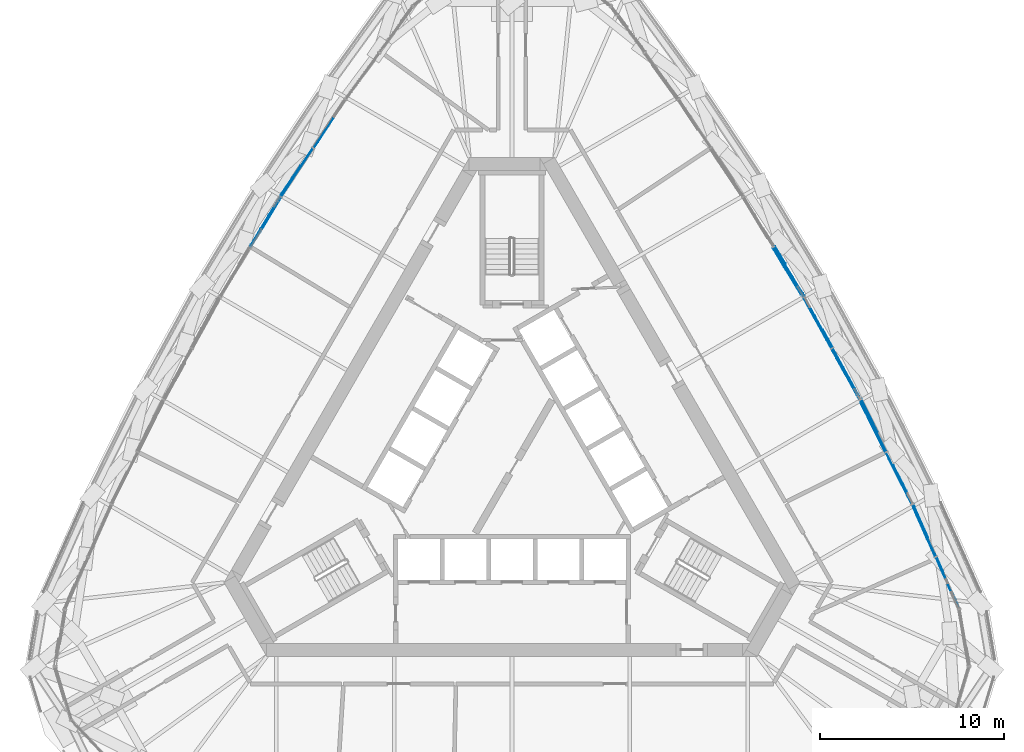
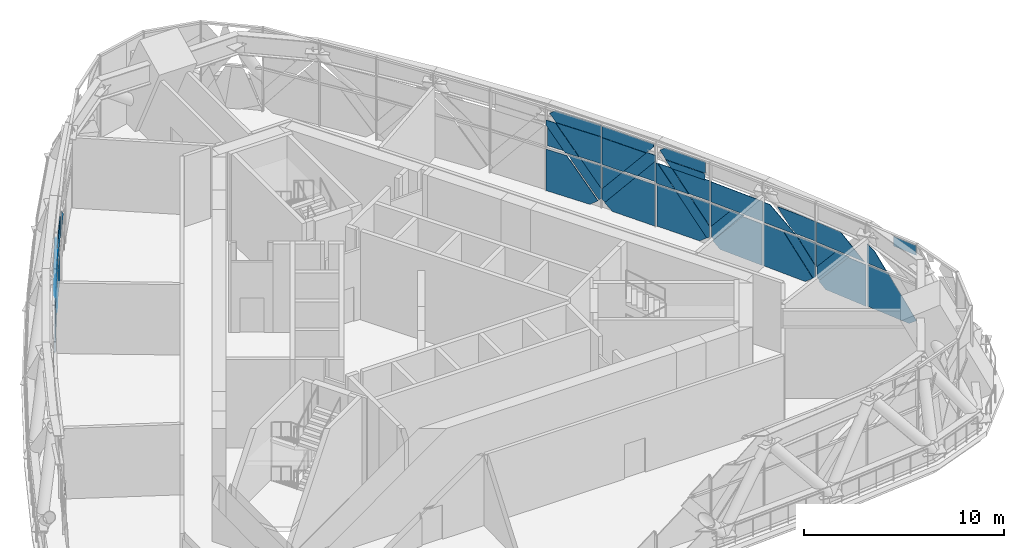
# One storey, part 13 of 33: 50 plates, 2 elements without a shape of their own.
"""IFC4 building model written with IfcOpenShell, lengths in metres."""

import ifcopenshell
import ifcopenshell.guid

model = None  # the IFC model being written
_history = None  # IfcOwnerHistory: only IFC2X3 demands one
_inside = {}  # id of a spatial element -> (the spatial element, [elements in it])
_under = {}  # id of a project, library or spatial element -> (it, [spatial elements below it])
_declared = {}  # id of a project -> (the project, [libraries it declares])
_typed = {}  # id of a type object -> (the type object, [elements of that type])
_made_of = {}  # id of a material, layer set ... -> (it, [elements and type objects made of it])


def new_model(schema):
    """Start an empty IFC model of exactly this schema.

    Asked for "IFC4X3", IfcOpenShell would pick the latest addendum, in which some entities
    have other attributes; the version numbers below select the first issue.
    IFC2X3 requires an IfcOwnerHistory on every rooted entity: one is made here for all.
    """
    global model, _history
    if schema == "IFC4X3":
        model = ifcopenshell.file(schema_version=(4, 3, 0, 0))
    else:
        model = ifcopenshell.file(schema=schema)
    _inside.clear()
    _under.clear()
    _declared.clear()
    _typed.clear()
    _made_of.clear()
    _history = None
    if model.schema == "IFC2X3":
        org = make("IfcOrganization", Name="unknown")
        user = make(
            "IfcPersonAndOrganization",
            ThePerson=make("IfcPerson", FamilyName="unknown"),
            TheOrganization=org,
        )
        app = make(
            "IfcApplication",
            ApplicationDeveloper=org,
            Version="unknown",
            ApplicationFullName="unknown",
            ApplicationIdentifier="unknown",
        )
        _history = make(
            "IfcOwnerHistory",
            OwningUser=user,
            OwningApplication=app,
            ChangeAction="ADDED",
            CreationDate=0,
        )
    return model


def make(cls, **values):
    """One entity of the class cls with the attributes given. An attribute that is None is left unset."""
    return model.create_entity(
        cls, **{name: value for name, value in values.items() if value is not None}
    )


def rooted(cls, **values):
    """An entity with a GlobalId (a new one), such as an element, a storey or a relation."""
    return make(cls, GlobalId=ifcopenshell.guid.new(), OwnerHistory=_history, **values)


def si_unit(unit_type, name, prefix=None):
    """IfcSIUnit, for example si_unit("LENGTHUNIT", "METRE", prefix="MILLI")."""
    return make("IfcSIUnit", UnitType=unit_type, Prefix=prefix, Name=name)


def assignment(units):
    """IfcUnitAssignment: the units of a project."""
    return None if units is None else make("IfcUnitAssignment", Units=units)


def point(xyz):
    """IfcCartesianPoint."""
    return None if xyz is None else make("IfcCartesianPoint", Coordinates=xyz)


def direction(xyz):
    """IfcDirection."""
    return None if xyz is None else make("IfcDirection", DirectionRatios=xyz)


def frame(location, z_axis=None, x_axis=None):
    """IfcAxis2Placement3D, a coordinate frame: its origin and axes. An axis left out is left unset."""
    return make(
        "IfcAxis2Placement3D",
        Location=point(location),
        Axis=direction(z_axis),
        RefDirection=direction(x_axis),
    )


def origin():
    """The frame at (0, 0, 0) with its axes left unset."""
    return frame((0.0, 0.0, 0.0))


def place(relative_to, where):
    """IfcLocalPlacement: puts the frame where relative to a parent placement (None: the world)."""
    return make(
        "IfcLocalPlacement", PlacementRelTo=relative_to, RelativePlacement=where
    )


def context(
    kind, dimensions, precision=None, world=None, true_north=None, identifier=None
):
    """IfcGeometricRepresentationContext, for example the 3D "Model" context."""
    return make(
        "IfcGeometricRepresentationContext",
        ContextIdentifier=identifier,
        ContextType=kind,
        CoordinateSpaceDimension=dimensions,
        Precision=precision,
        WorldCoordinateSystem=world,
        TrueNorth=true_north,
    )


def subcontext(parent, identifier, kind, view, scale=None):
    """IfcGeometricRepresentationSubContext, for example "Body" below "Model"."""
    return make(
        "IfcGeometricRepresentationSubContext",
        ContextIdentifier=identifier,
        ContextType=kind,
        ParentContext=parent,
        TargetScale=scale,
        TargetView=view,
    )


def project(units=None, contexts=None):
    """IfcProject with its units and contexts."""
    return rooted(
        "IfcProject",
        Name="project",
        RepresentationContexts=contexts,
        UnitsInContext=assignment(units),
    )


def spatial(cls, under=None, at=None, **own):
    """A site, building, storey or space (cls), placed at a placement, below another one or the project."""
    s = rooted(cls, ObjectPlacement=at, **own)
    if under is not None:
        _under.setdefault(under.id(), (under, []))[1].append(s)
    return s


def polyline(points):
    """IfcPolyline through the points."""
    return make("IfcPolyline", Points=[point(p) for p in points])


def outline(outer, holes=None, kind="AREA"):
    """IfcArbitraryClosedProfileDef: a profile drawn as a closed curve; with holes, ...WithVoids."""
    if holes is None:
        return make("IfcArbitraryClosedProfileDef", ProfileType=kind, OuterCurve=outer)
    return make(
        "IfcArbitraryProfileDefWithVoids",
        ProfileType=kind,
        OuterCurve=outer,
        InnerCurves=holes,
    )


def extrude(swept, where, along, depth):
    """IfcExtrudedAreaSolid: the profile swept, set in the frame where, extruded along a direction by depth."""
    return make(
        "IfcExtrudedAreaSolid",
        SweptArea=swept,
        Position=where,
        ExtrudedDirection=direction(along),
        Depth=depth,
    )


def shape(context_of_items, identifier, shape_type, items):
    """IfcShapeRepresentation: the items that make up one representation, for example the "Body"."""
    return make(
        "IfcShapeRepresentation",
        ContextOfItems=context_of_items,
        RepresentationIdentifier=identifier,
        RepresentationType=shape_type,
        Items=items,
    )


def material(Name=None, Category=None):
    """IfcMaterial."""
    return make("IfcMaterial", Name=Name, Category=Category)


def layer(
    of_material, thickness, ventilated=None, Name=None, Category=None, Priority=None
):
    """IfcMaterialLayer: one layer of a wall or slab, of a material (None: an air gap)."""
    return make(
        "IfcMaterialLayer",
        Material=of_material,
        LayerThickness=thickness,
        IsVentilated=ventilated,
        Name=Name,
        Category=Category,
        Priority=Priority,
    )


def layer_set(layers, Name=None):
    """IfcMaterialLayerSet."""
    return make("IfcMaterialLayerSet", MaterialLayers=layers, LayerSetName=Name)


def made_of(thing, what):
    """Note that an element or type object is made of a material, layer set ...; save() writes the relation."""
    if what is not None:
        _made_of.setdefault(what.id(), (what, []))[1].append(thing)
    return thing


def type_object(cls, material=None, **own):
    """A type object (cls), such as IfcWallType, which elements share."""
    return made_of(rooted(cls, **own), material)


def element(
    cls,
    number,
    at=None,
    inside=None,
    cuts=None,
    type_object=None,
    material=None,
    context=None,
    identifier="Body",
    shape_type=None,
    held_by="IfcProductDefinitionShape",
    body=None,
    shapes=None,
    **own,
):
    """One element of the class cls, such as IfcWall. Its Tag is "e" and its number.

    at: its placement. inside: the storey or other place that contains it. cuts: it is an
    opening in that element (IfcRelVoidsElement). A single representation is given by context,
    identifier, shape_type and body (its items); several are given by shapes. held_by: the class
    of the entity that holds the representations. save() writes the other relations.
    """
    e = rooted(cls, Tag="e%d" % number, ObjectPlacement=at, **own)
    if body is not None:
        shapes = [shape(context, identifier, shape_type, body)]
    if shapes is not None:
        e.Representation = make(held_by, Representations=shapes)
    if inside is not None:
        _inside.setdefault(inside.id(), (inside, []))[1].append(e)
    if cuts is not None:
        rooted(
            "IfcRelVoidsElement", RelatingBuildingElement=cuts, RelatedOpeningElement=e
        )
    if type_object is not None:
        _typed.setdefault(type_object.id(), (type_object, []))[1].append(e)
    return made_of(e, material)


def aggregate(whole, parts):
    """IfcRelAggregates: a whole, such as a stair, and the parts it consists of."""
    return rooted("IfcRelAggregates", RelatingObject=whole, RelatedObjects=parts)


def save(model, path):
    """Write the relations noted so far, then the file.

    IfcRelAggregates (storeys below a building ...), IfcRelContainedInSpatialStructure (elements
    in a storey), IfcRelDefinesByType, IfcRelAssociatesMaterial and IfcRelDeclares: one each for
    every whole, place, type object, material and project.
    """
    for whole, parts in _under.values():
        aggregate(whole, parts)
    for where, things in _inside.values():
        rooted(
            "IfcRelContainedInSpatialStructure",
            RelatedElements=things,
            RelatingStructure=where,
        )
    for kind, things in _typed.values():
        rooted("IfcRelDefinesByType", RelatedObjects=things, RelatingType=kind)
    for what, things in _made_of.values():
        rooted("IfcRelAssociatesMaterial", RelatedObjects=things, RelatingMaterial=what)
    for by, libraries in _declared.values():
        rooted("IfcRelDeclares", RelatingContext=by, RelatedDefinitions=libraries)
    model.write(path)


model = new_model("IFC4")

# Units and contexts
model_context = context("Model", 3, precision=1e-05, world=origin(), true_north=direction((0.0, 1.0)))
body_context = subcontext(model_context, "Body", "Model", "MODEL_VIEW")
ifc_project = project(units=[si_unit("LENGTHUNIT", "METRE"), si_unit("AREAUNIT", "SQUARE_METRE"), si_unit("VOLUMEUNIT", "CUBIC_METRE"), si_unit("PLANEANGLEUNIT", "RADIAN"), si_unit("MASSUNIT", "GRAM", prefix="KILO")], contexts=[model_context])

# Site, building, storey
site_placement = place(None, origin())
site = spatial("IfcSite", under=ifc_project, at=site_placement, CompositionType="ELEMENT")
building_placement = place(site_placement, origin())
building = spatial("IfcBuilding", under=site, at=building_placement, Name="Mestral Congress Tower", CompositionType="ELEMENT")
storey_placement = place(building_placement, frame((0.0, 0.0, 256.199951171875)))
storey = spatial("IfcBuildingStorey", under=building, at=storey_placement, Name="L60", CompositionType="ELEMENT", Elevation=256.199951171875)

# Curtain wall, plates
ifc_material_1 = material(Name="Clear low-emissivity double glazing", Category="glass")
curtain_wall_type = type_object("IfcCurtainWallType", Name="Facade refuge band screen", PredefinedType="USERDEFINED", material=ifc_material_1)
placement = place(storey_placement, origin())
curtain_wall_1 = element("IfcCurtainWall", 1, at=placement, inside=storey, type_object=curtain_wall_type, Name="Facade refuge band screen face 2", ObjectType="CURTAIN WALL", PredefinedType="USERDEFINED")
ifc_material_2 = material(Name="Anodised aluminium", Category="aluminium")
ifc_layer_1 = layer(ifc_material_2, 0.028076171875)
ifc_layer_set_1 = layer_set([ifc_layer_1], Name="Anodised aluminium")
plate_type_1 = type_object("IfcPlateType", Name="Facade refuge band screen brace cover panel", PredefinedType="CURTAIN_PANEL", material=ifc_layer_set_1)
plate_1_placement = place(storey_placement, frame((21.787109375, -2.115966796875, 0.4736328125), z_axis=(0.913153997323, 0.407609879761, 0.001990751943), x_axis=(0.31296368662, -0.697975645383, -0.644114686457)))
plate_1 = element("IfcPlate", 2, at=plate_1_placement, type_object=plate_type_1, Name="Facade refuge band screen brace cover panel", PredefinedType="CURTAIN_PANEL", context=body_context, shape_type="SweptSolid", body=[
    extrude(outline(polyline([(0.0, 0.0), (0.1845884822043527, 0.0), (0.18383013216730837, -2.8562409350423597), (-0.43035569958101516, -2.3390592714284537), (-0.42980479596469484, -0.5106858456581217), (0.0, 0.0)])), origin(), (0.0, 0.0, -1.0), 0.028076171875),
])
plate_2_placement = place(storey_placement, frame((21.742431640625, -2.135986328125, 3.887939453125), z_axis=(0.9131391405, 0.407643513254, 0.001917339176), x_axis=(0.001752116658, 0.000778644434, -0.999998161898)))
plate_2 = element("IfcPlate", 3, at=plate_2_placement, type_object=plate_type_1, Name="Facade refuge band screen brace cover panel", PredefinedType="CURTAIN_PANEL", context=body_context, shape_type="SweptSolid", body=[
    extrude(outline(polyline([(0.0, 0.0), (1.227785556595317, 1.4992483166401116e-19), (1.2277949766796143, -2.9479286449745246), (4.8525755087412085e-06, -1.4731959956510157), (0.0, 0.0)])), origin(), (0.0, 0.0, -1.0), 0.028076171875),
])
plate_3_placement = place(storey_placement, frame((20.8701171875, -0.37255859375, 2.5400390625), z_axis=(0.895480676833, 0.445095607375, 0.002063422898), x_axis=(0.281276986905, -0.562291604201, -0.777631923523)))
plate_3 = element("IfcPlate", 4, at=plate_3_placement, type_object=plate_type_1, Name="Facade refuge band screen brace cover panel", PredefinedType="CURTAIN_PANEL", context=body_context, shape_type="SweptSolid", body=[
    extrude(outline(polyline([(0.0, 0.0), (2.791051030716205, 2.220446049250313e-16), (2.7907304843664265, -0.1957032297248591), (2.278199795002741, -0.6102296775615604), (0.49335512821134725, -0.6102090879746565), (0.0, 0.0)])), origin(), (0.0, 0.0, -1.0), 0.028076171875),
])
plate_4_placement = place(storey_placement, frame((20.304931640625, 0.696533203125, 2.66015625), z_axis=(0.895460272872, 0.445137206914, 0.0019408065), x_axis=(0.445138045238, -0.895461959372, 1.957e-08)))
plate_4 = element("IfcPlate", 5, at=plate_4_placement, type_object=plate_type_1, Name="Facade refuge band screen brace cover panel", PredefinedType="CURTAIN_PANEL", context=body_context, shape_type="SweptSolid", body=[
    extrude(outline(polyline([(0.0, 0.0), (1.9218444975890194, -4.336808689942018e-19), (0.384876684140015, -1.227785507963331), (-0.00010358792781404666, -1.2277855531078843), (0.0, 0.0)])), origin(), (0.0, 0.0, -1.0), 0.028076171875),
])
plate_5_placement = place(storey_placement, frame((21.74365234375, -2.06787109375, 3.853759765625), z_axis=(0.895475424433, 0.445106633845, 0.00196182134), x_axis=(-0.444749729267, 0.894562483201, 0.044222640874)))
plate_5 = element("IfcPlate", 6, at=plate_5_placement, type_object=plate_type_1, Name="Facade refuge band screen brace cover panel", PredefinedType="CURTAIN_PANEL", context=body_context, shape_type="SweptSolid", body=[
    extrude(outline(polyline([(0.0, 0.0), (0.7729003273818444, -6.938893903907228e-18), (2.3249494026488495, -0.06870273490371065), (1.5456152631874522, -0.9498977494433535), (1.1401903315184931, -1.2452461116433755), (-0.05256095621396867, -1.1924479027510249), (0.0, 0.0)])), origin(), (0.0, 0.0, -1.0), 0.028076171875),
])
plate_6_placement = place(storey_placement, frame((18.968505859375, 3.578857421875, 0.491455078125), z_axis=(0.895392021116, 0.445273788053, 0.002093369458), x_axis=(0.343424150256, -0.687576924669, -0.63976388276)))
plate_6 = element("IfcPlate", 7, at=plate_6_placement, type_object=plate_type_1, Name="Facade refuge band screen brace cover panel", PredefinedType="CURTAIN_PANEL", context=body_context, shape_type="SweptSolid", body=[
    extrude(outline(polyline([(0.0, 0.0), (0.19462157033597707, 1.3877787807814457e-17), (0.1944911197361201, -2.8273496531822273), (-0.41615847797028915, -2.3190390373489156), (-0.41633611192804476, -0.49999156594634064), (0.0, 0.0)])), origin(), (0.0, 0.0, -1.0), 0.028076171875),
])
plate_7_placement = place(storey_placement, frame((18.915771484375, 3.552734375, 3.887939453125), z_axis=(0.895425998616, 0.445205681146, 0.002045110836), x_axis=(0.001789616452, 0.000994231362, -0.999997904386)))
plate_7 = element("IfcPlate", 8, at=plate_7_placement, type_object=plate_type_1, Name="Facade refuge band screen brace cover panel", PredefinedType="CURTAIN_PANEL", context=body_context, shape_type="SweptSolid", body=[
    extrude(outline(polyline([(0.0, 0.0), (1.2277857760897182, 1.6263032587282567e-19), (1.2274944002773338, -3.1158724673717715), (-0.0002913758123841894, -3.1158724673717715), (0.0, 0.0)])), origin(), (0.0, 0.0, -1.0), 0.028076171875),
])
plate_8_placement = place(storey_placement, frame((17.935791015625, 5.28076171875, 2.5400390625), z_axis=(0.876282913322, 0.481792353902, 0.002093690983), x_axis=(0.306141338172, -0.553443169083, -0.774582558323)))
plate_8 = element("IfcPlate", 9, at=plate_8_placement, type_object=plate_type_1, Name="Facade refuge band screen brace cover panel", PredefinedType="CURTAIN_PANEL", context=body_context, shape_type="SweptSolid", body=[
    extrude(outline(polyline([(0.0, 0.0), (2.7976257764412553, 2.220446049250313e-16), (2.797679466670462, -0.2019497399969825), (2.294308092784093, -0.6130365180554893), (0.5006164095676948, -0.6131028317228737), (0.0, 0.0)])), origin(), (0.0, 0.0, -1.0), 0.028076171875),
])
plate_9_placement = place(storey_placement, frame((18.2958984375, 4.6875, 2.66015625), z_axis=(0.876249837569, 0.481852577463, 0.00207743885), x_axis=(-0.30620559211, 0.553496227795, 0.774519245195)))
plate_9 = element("IfcPlate", 10, at=plate_9_placement, type_object=plate_type_1, Name="Facade refuge band screen brace cover panel", PredefinedType="CURTAIN_PANEL", context=body_context, shape_type="SweptSolid", body=[
    extrude(outline(polyline([(0.0, 0.0), (1.5852195907946864, 1.1102230246251565e-16), (2.0857621742453976, -0.6128869198477535), (0.5006777143657001, -0.6130527666461396), (0.0, 0.0)])), origin(), (0.0, 0.0, -1.0), 0.028076171875),
])
plate_10_placement = place(storey_placement, frame((15.861572265625, 9.12255859375, 0.50048828125), z_axis=(0.876268054725, 0.481819947371, 0.001958209219), x_axis=(0.372704550498, -0.67523702887, -0.636511015522)))
plate_10 = element("IfcPlate", 11, at=plate_10_placement, type_object=plate_type_1, Name="Facade refuge band screen brace cover panel", PredefinedType="CURTAIN_PANEL", context=body_context, shape_type="SweptSolid", body=[
    extrude(outline(polyline([(0.0, 0.0), (0.2017529438055266, 1.3877787807814457e-17), (0.2000666066270067, -2.8095333552950326), (-0.4128605042296024, -2.3036962522002584), (-0.4118394861517554, -0.49896193915841053), (0.0, 0.0)])), origin(), (0.0, 0.0, -1.0), 0.028076171875),
])
plate_11_placement = place(storey_placement, frame((16.485107421875, 8.04248046875, 2.66015625), z_axis=(0.876235094746, 0.481879438201, 0.002065375073), x_axis=(0.481880466565, -0.876236963351, -3.12624e-07)))
plate_11 = element("IfcPlate", 12, at=plate_11_placement, type_object=plate_type_1, Name="Facade refuge band screen brace cover panel", PredefinedType="CURTAIN_PANEL", context=body_context, shape_type="SweptSolid", body=[
    extrude(outline(polyline([(0.0, 0.0), (0.7947017264448775, 0.0), (1.8689002204575542, -1.302981962128315), (1.8688787507132694, -1.6279335675669595), (1.341994038085146, -1.6279334283043365), (0.0, 0.0)])), origin(), (0.0, 0.0, -1.0), 0.028076171875),
])
plate_12_placement = place(storey_placement, frame((14.857421875, 10.856689453125, 2.5400390625), z_axis=(0.855370992422, 0.518012248967, 0.001942998748), x_axis=(0.330781598789, -0.543310952891, -0.771619558054)))
plate_12 = element("IfcPlate", 13, at=plate_12_placement, type_object=plate_type_1, Name="Facade refuge band screen brace cover panel", PredefinedType="CURTAIN_PANEL", context=body_context, shape_type="SweptSolid", body=[
    extrude(outline(polyline([(0.0, 0.0), (2.8096337472990287, 0.0), (2.809484945880569, -0.2017079844787646), (2.3102623374876714, -0.613232472259763), (0.5055709910548837, -0.6133000230941965), (0.0, 0.0)])), origin(), (0.0, 0.0, -1.0), 0.028076171875),
])
plate_13_placement = place(storey_placement, frame((14.744384765625, 10.904052734375, 2.66015625), z_axis=(0.855497283691, 0.517803340202, 0.002024468607), x_axis=(0.517804401615, -0.855499036626, -1.77921e-07)))
plate_13 = element("IfcPlate", 14, at=plate_13_placement, type_object=plate_type_1, Name="Facade refuge band screen brace cover panel", PredefinedType="CURTAIN_PANEL", context=body_context, shape_type="SweptSolid", body=[
    extrude(outline(polyline([(0.0, 0.0), (0.7948200776675879, -1.0842021724855044e-19), (-0.5472965341949173, -1.6279327390601497), (-1.074190221357334, -1.6279329324758611), (-1.0742286364099607, -1.3029806461375586), (0.0, 0.0)])), origin(), (0.0, 0.0, -1.0), 0.028076171875),
])

curtain_wall_2 = element("IfcCurtainWall", 15, at=placement, inside=storey, type_object=curtain_wall_type, Name="Facade refuge band screen face 3", ObjectType="CURTAIN WALL", PredefinedType="USERDEFINED")
plate_14_placement = place(storey_placement, frame((-10.757568359375, 17.2373046875, 2.66015625), z_axis=(-0.833154048948, 0.553037350413, 0.002004936455), x_axis=(0.55303846168, 0.833155723681, -1.66162e-07)))
plate_14 = element("IfcPlate", 16, at=plate_14_placement, type_object=plate_type_1, Name="Facade refuge band screen brace cover panel", PredefinedType="CURTAIN_PANEL", context=body_context, shape_type="SweptSolid", body=[
    extrude(outline(polyline([(0.0, 0.0), (1.9218859412396068, 0.0), (0.3852116434108769, -1.227785734843205), (6.29134392907581e-05, -1.2277853515013966), (0.0, 0.0)])), origin(), (0.0, 0.0, -1.0), 0.028076171875),
])
plate_15_placement = place(storey_placement, frame((-12.575439453125, 14.632080078125, 0.491455078125), z_axis=(-0.833319322662, 0.552788007073, 0.002079835316), x_axis=(0.423745703817, 0.641197158407, -0.639770101323)))
plate_15 = element("IfcPlate", 17, at=plate_15_placement, type_object=plate_type_1, Name="Facade refuge band screen brace cover panel", PredefinedType="CURTAIN_PANEL", context=body_context, shape_type="SweptSolid", body=[
    extrude(outline(polyline([(0.0, 0.0), (0.1946192742946985, 1.3877787807814457e-17), (0.19456170616452062, -2.8274290158887867), (-0.41609386384713043, -2.319105171071897), (-0.4162090290483414, -0.5000976546533173), (0.0, 0.0)])), origin(), (0.0, 0.0, -1.0), 0.028076171875),
])
plate_16_placement = place(storey_placement, frame((-12.534912109375, 14.605224609375, 3.887939453125), z_axis=(-0.833228155896, 0.552925957606, 0.001930188509), x_axis=(-0.001636576311, 0.001024628057, -0.999998135876)))
plate_16 = element("IfcPlate", 18, at=plate_16_placement, type_object=plate_type_1, Name="Facade refuge band screen brace cover panel", PredefinedType="CURTAIN_PANEL", context=body_context, shape_type="SweptSolid", body=[
    extrude(outline(polyline([(0.0, 0.0), (1.2277853615895498, 9.486769009248164e-20), (1.2276260843331686, -3.1160653515558567), (-0.0001595274097154673, -3.115861926321102), (0.0, 0.0)])), origin(), (0.0, 0.0, -1.0), 0.028076171875),
])
plate_17_placement = place(storey_placement, frame((-13.541015625, 12.892333984375, 2.5400390625), z_axis=(-0.855500157527, 0.517798832054, 0.001962140387), x_axis=(0.326211319247, 0.541896970897, -0.774553967214)))
plate_17 = element("IfcPlate", 19, at=plate_17_placement, type_object=plate_type_1, Name="Facade refuge band screen brace cover panel", PredefinedType="CURTAIN_PANEL", context=body_context, shape_type="SweptSolid", body=[
    extrude(outline(polyline([(0.0, 0.0), (2.7977292757841656, 2.220446049250313e-16), (2.7977181155148387, -0.20185965793642713), (2.294387644472444, -0.6129954633416977), (0.5007155767295886, -0.6131672855961033), (0.0, 0.0)])), origin(), (0.0, 0.0, -1.0), 0.028076171875),
])
plate_18_placement = place(storey_placement, frame((-13.233154296875, 13.5166015625, 2.66015625), z_axis=(-0.855415667491, 0.517938299934, 0.001988283566), x_axis=(-0.326330889631, -0.541934120156, 0.774477604508)))
plate_18 = element("IfcPlate", 20, at=plate_18_placement, type_object=plate_type_1, Name="Facade refuge band screen brace cover panel", PredefinedType="CURTAIN_PANEL", context=body_context, shape_type="SweptSolid", body=[
    extrude(outline(polyline([(0.0, 0.0), (1.5853049797422651, 0.0), (2.085962420875391, -0.6129451105811659), (0.5006574411331257, -0.6129451105811657), (0.0, 0.0)])), origin(), (0.0, 0.0, -1.0), 0.028076171875),
])

# Plate
ifc_layer_2 = layer(ifc_material_1, 0.028076171875)
ifc_layer_set_2 = layer_set([ifc_layer_2], Name="Clear low-emissivity double glazing")
plate_type_2 = type_object("IfcPlateType", Name="Facade refuge band screen panel", PredefinedType="CURTAIN_PANEL", material=ifc_layer_set_2)
plate_19_placement = place(storey_placement, frame((23.0419921875, -4.96728515625, 2.5400390625), z_axis=(0.913127927008, 0.407668201404, 0.002006609393), x_axis=(0.001813782125, 0.000859498576, -0.999997985726)))
plate_19 = element("IfcPlate", 21, at=plate_19_placement, type_object=plate_type_2, Name="Refuge screen glass unit", PredefinedType="CURTAIN_PANEL", context=body_context, shape_type="SweptSolid", body=[
    extrude(outline(polyline([(0.0, 0.0), (2.540044248252854, 3.3881317890172014e-19), (2.5399270354814725, -2.581699745573326), (2.1817514601666, -3.0296893495961177), (-5.8173567462458764e-05, -1.2855452385246273), (0.0, 0.0)])), origin(), (0.0, 0.0, -1.0), 0.028076171875),
])

plate_20_placement = place(storey_placement, frame((24.24267578125, -7.777099609375, 4.97998046875), z_axis=(0.913163348934, 0.407587750495, 0.002218965874), x_axis=(-0.407588753941, 0.913165597064, 0.0)))
plate_20 = element("IfcPlate", 22, at=plate_20_placement, type_object=plate_type_2, Name="Refuge screen glass unit", PredefinedType="CURTAIN_PANEL", context=body_context, shape_type="SweptSolid", body=[
    extrude(outline(polyline([(0.0, 0.0), (1.4052249987579921, 0.0), (1.4051733355315335, -0.5920424731789866), (-5.166322645881752e-05, -0.5920424731789866), (0.0, 0.0)])), origin(), (0.0, 0.0, -1.0), 0.028076171875),
])

plate_21_placement = place(storey_placement, frame((23.49951171875, -6.06591796875, 2.66015625), z_axis=(0.913114995001, 0.407696855298, 0.002068836769), x_axis=(-0.256089627408, 0.569598452476, 0.781009414585)))
plate_21 = element("IfcPlate", 23, at=plate_21_placement, type_object=plate_type_2, Name="Refuge screen glass unit", PredefinedType="CURTAIN_PANEL", context=body_context, shape_type="SweptSolid", body=[
    extrude(outline(polyline([(0.0, 0.0), (1.1362874891118215, 0.0), (1.660788068460598, -0.1954190499447518), (0.7430574226515204, -0.9292555379785602), (0.0, 0.0)])), origin(), (0.0, 0.0, -1.0), 0.028076171875),
])

plate_22_placement = place(storey_placement, frame((21.752197265625, -2.131591796875, 2.5400390625), z_axis=(0.913107196528, 0.407714909919, 0.00194932749), x_axis=(0.001745197376, 0.000872598688, -0.999998096427)))
plate_22 = element("IfcPlate", 24, at=plate_22_placement, type_object=plate_type_2, Name="Refuge screen glass unit", PredefinedType="CURTAIN_PANEL", context=body_context, shape_type="SweptSolid", body=[
    extrude(outline(polyline([(0.0, 0.0), (1.398928444212398, -4.0657581468206416e-20), (-0.0001003403276463316, -1.1772430769508584), (0.0, 0.0)])), origin(), (0.0, 0.0, -1.0), 0.028076171875),
])

plate_23_placement = place(storey_placement, frame((21.958740234375, -2.655517578125, 0.0), z_axis=(0.913158536187, 0.407599936779, 0.001944049091), x_axis=(0.407600706872, -0.913160261815, 7.646e-08)))
plate_23 = element("IfcPlate", 25, at=plate_23_placement, type_object=plate_type_2, Name="Refuge screen glass unit", PredefinedType="CURTAIN_PANEL", context=body_context, shape_type="SweptSolid", body=[
    extrude(outline(polyline([(0.0, 0.0), (2.492534097214985, 2.168404344971009e-19), (2.4925265935198997, -2.5400436116217016), (1.417685890070139, -2.5400439633077627), (-0.4213851074982333, -0.3547369809963756), (0.0, 0.0)])), origin(), (0.0, 0.0, -1.0), 0.028076171875),
])

plate_24_placement = place(storey_placement, frame((21.74609375, -2.066650390625, 2.5400390625), z_axis=(0.895380839938, 0.44529751685, 0.001809131951), x_axis=(-0.445298245572, 0.895382305214, 0.0)))
plate_24 = element("IfcPlate", 26, at=plate_24_placement, type_object=plate_type_2, Name="Refuge screen glass unit", PredefinedType="CURTAIN_PANEL", context=body_context, shape_type="SweptSolid", body=[
    extrude(outline(polyline([(0.0, 0.0), (1.1222946965202834, 1.0842021724855044e-19), (0.00011455745017698555, -1.3879417244646335), (0.0, 0.0)])), origin(), (0.0, 0.0, -1.0), 0.028076171875),
])

plate_25_placement = place(storey_placement, frame((20.30517578125, 0.69677734375, 2.5400390625), z_axis=(0.895466773038, 0.445123880878, 0.001997262414), x_axis=(0.001805520263, 0.000854762104, -0.999998004737)))
plate_25 = element("IfcPlate", 27, at=plate_25_placement, type_object=plate_type_2, Name="Refuge screen glass unit", PredefinedType="CURTAIN_PANEL", context=body_context, shape_type="SweptSolid", body=[
    extrude(outline(polyline([(0.0, 0.0), (2.54004424780993, 4.0657581468206416e-20), (2.5401398518297755, -2.5063031065154764), (2.1705282607353578, -2.963578005907821), (4.601970975768872e-05, -1.2090962026660552), (0.0, 0.0)])), origin(), (0.0, 0.0, -1.0), 0.028076171875),
])

plate_26_placement = place(storey_placement, frame((18.918212890625, 3.553955078125, 2.5400390625), z_axis=(0.895429828788, 0.445197304754, 0.002186676903), x_axis=(0.001921057224, 0.001047849395, -0.999997605773)))
plate_26 = element("IfcPlate", 28, at=plate_26_placement, type_object=plate_type_2, Name="Refuge screen glass unit", PredefinedType="CURTAIN_PANEL", context=body_context, shape_type="SweptSolid", body=[
    extrude(outline(polyline([(0.0, 0.0), (1.3979525657664373, -8.131516293641283e-20), (-9.661567092370221e-05, -1.1636754318800568), (0.0, 0.0)])), origin(), (0.0, 0.0, -1.0), 0.028076171875),
])

plate_27_placement = place(storey_placement, frame((19.138916015625, 3.00439453125, 0.0), z_axis=(0.895449457888, 0.445158898439, 0.00195537926), x_axis=(0.445159749489, -0.895451169766, -7.16e-09)))
plate_27 = element("IfcPlate", 29, at=plate_27_placement, type_object=plate_type_2, Name="Refuge screen glass unit", PredefinedType="CURTAIN_PANEL", context=body_context, shape_type="SweptSolid", body=[
    extrude(outline(polyline([(0.0, 0.0), (2.5255187577971676, 0.0), (2.525530015254863, -2.5400438137786465), (1.3680782460099938, -2.5400440891947467), (-0.44088082499774783, -0.366943779192679), (0.0, 0.0)])), origin(), (0.0, 0.0, -1.0), 0.028076171875),
])

plate_28_placement = place(storey_placement, frame((17.414794921875, 6.352294921875, 2.5400390625), z_axis=(0.87619058423, 0.481960538401, 0.002024729677), x_axis=(0.001770040253, 0.000983136348, -0.999997950198)))
plate_28 = element("IfcPlate", 30, at=plate_28_placement, type_object=plate_type_2, Name="Refuge screen glass unit", PredefinedType="CURTAIN_PANEL", context=body_context, shape_type="SweptSolid", body=[
    extrude(outline(polyline([(0.0, 0.0), (2.5400440346555624, 4.506215279392878e-19), (2.5400235808834295, -2.5025526533003366), (2.1669716525381, -2.9592470931053327), (-9.806555505360035e-06, -1.1898117892283577), (0.0, 0.0)])), origin(), (0.0, 0.0, -1.0), 0.028076171875),
])

plate_29_placement = place(storey_placement, frame((18.89013671875, 3.607666015625, 2.5400390625), z_axis=(0.876268736015, 0.48181868859, 0.001963061115), x_axis=(-0.481819616963, 0.876270424418, 0.0)))
plate_29 = element("IfcPlate", 31, at=plate_29_placement, type_object=plate_type_2, Name="Refuge screen glass unit", PredefinedType="CURTAIN_PANEL", context=body_context, shape_type="SweptSolid", body=[
    extrude(outline(polyline([(0.0, 0.0), (1.134513498684102, 0.0), (-0.00010665137879309968, -1.3894069739931472), (0.0, 0.0)])), origin(), (0.0, 0.0, -1.0), 0.028076171875),
])

plate_30_placement = place(storey_placement, frame((17.40283203125, 6.243896484375, 3.887939453125), z_axis=(0.876253359494, 0.481846327195, 0.002041309466), x_axis=(-0.481847331409, 0.876255184985, 1.66379e-07)))
plate_30 = element("IfcPlate", 32, at=plate_30_placement, type_object=plate_type_2, Name="Refuge screen glass unit", PredefinedType="CURTAIN_PANEL", context=body_context, shape_type="SweptSolid", body=[
    extrude(outline(polyline([(0.0, 0.0), (0.08916181384847377, 0.0), (0.08917251043581145, -1.227785776021616), (-1.0027281412108255, -1.227785579517093), (0.0, 0.0)])), origin(), (0.0, 0.0, -1.0), 0.028076171875),
])

plate_31_placement = place(storey_placement, frame((18.916259765625, 3.6220703125, 2.66015625), z_axis=(0.876206720578, 0.481931297899, 0.002001729254), x_axis=(-0.001749748948, -0.000972303434, 0.9999979965)))
plate_31 = element("IfcPlate", 33, at=plate_31_placement, type_object=plate_type_2, Name="Refuge screen glass unit", PredefinedType="CURTAIN_PANEL", context=body_context, shape_type="SweptSolid", body=[
    extrude(outline(polyline([(0.0, 0.0), (1.2277857748188, 2.337810934421869e-19), (1.227766261686411, -2.235163462062922), (-1.0585668654997712e-05, -1.2324246304237565), (0.0, 0.0)])), origin(), (0.0, 0.0, -1.0), 0.028076171875),
])

plate_32_placement = place(storey_placement, frame((18.731201171875, 3.81884765625, 4.2880859375), z_axis=(0.876225192069, 0.481898149833, 0.001893666165), x_axis=(-0.48189901387, 0.876226763133, -1.378e-09)))
plate_32 = element("IfcPlate", 34, at=plate_32_placement, type_object=plate_type_2, Name="Refuge screen glass unit", PredefinedType="CURTAIN_PANEL", context=body_context, shape_type="SweptSolid", body=[
    extrude(outline(polyline([(0.0, 0.0), (2.300066760897334, 2.168404344971009e-19), (1.973657099622532, -0.40014719911446833), (-0.00013903027836287689, -0.40014720500323475), (0.0, 0.0)])), origin(), (0.0, 0.0, -1.0), 0.028076171875),
])

plate_33_placement = place(storey_placement, frame((17.652587890625, 5.8505859375, 4.2880859375), z_axis=(0.876225738113, 0.481896663187, 0.002015409815), x_axis=(0.481897641895, -0.876227517678, -1.689e-09)))
plate_33 = element("IfcPlate", 35, at=plate_33_placement, type_object=plate_type_2, Name="Refuge screen glass unit", PredefinedType="CURTAIN_PANEL", context=body_context, shape_type="SweptSolid", body=[
    extrude(outline(polyline([(0.0, 0.0), (2.300066760897135, 0.0), (2.3001202739723854, -0.6918959931070845), (-0.048677441323079385, -0.6918958876066128), (-0.35854042642596773, -0.4389658013693444), (0.0, 0.0)])), origin(), (0.0, 0.0, -1.0), 0.028076171875),
])

plate_34_placement = place(storey_placement, frame((15.88427734375, 9.13525390625, 2.5400390625), z_axis=(0.87621422808, 0.481917825444, 0.001958578438), x_axis=(0.001753152312, 0.000876576156, -0.999998079034)))
plate_34 = element("IfcPlate", 36, at=plate_34_placement, type_object=plate_type_2, Name="Refuge screen glass unit", PredefinedType="CURTAIN_PANEL", context=body_context, shape_type="SweptSolid", body=[
    extrude(outline(polyline([(0.0, 0.0), (1.3925808001007023, 1.7618285302889447e-19), (8.817123446512088e-05, -1.1479583537260964), (0.0, 0.0)])), origin(), (0.0, 0.0, -1.0), 0.028076171875),
])

plate_35_placement = place(storey_placement, frame((16.128662109375, 8.57666015625, 0.0), z_axis=(0.876203386768, 0.481937331862, 0.002008276301), x_axis=(0.481938303896, -0.876205153624, -9.2171e-08)))
plate_35 = element("IfcPlate", 37, at=plate_35_placement, type_object=plate_type_2, Name="Refuge screen glass unit", PredefinedType="CURTAIN_PANEL", context=body_context, shape_type="SweptSolid", body=[
    extrude(outline(polyline([(0.0, 0.0), (2.508884673444914, 4.336808689942018e-19), (2.508788058410714, -2.5400444657237338), (1.3358117717218287, -2.540044090234403), (-0.4515207831710742, -0.37207102545045645), (0.0, 0.0)])), origin(), (0.0, 0.0, -1.0), 0.028076171875),
])

plate_36_placement = place(storey_placement, frame((15.83154296875, 9.10595703125, 2.66015625), z_axis=(0.876210174931, 0.481925143065, 0.001971250487), x_axis=(0.481926079233, -0.876211877433, 1.01041e-07)))
plate_36 = element("IfcPlate", 38, at=plate_36_placement, type_object=plate_type_2, Name="Refuge screen glass unit", PredefinedType="CURTAIN_PANEL", context=body_context, shape_type="SweptSolid", body=[
    extrude(outline(polyline([(0.0, 0.0), (1.246842830201709, 0.0), (2.5889550263977354, -1.6279325888457619), (-0.00012821483019603188, -1.6279329764325055), (0.0, 0.0)])), origin(), (0.0, 0.0, -1.0), 0.028076171875),
])

plate_37_placement = place(storey_placement, frame((15.85498046875, 9.118896484375, 4.2880859375), z_axis=(0.876213820133, 0.48191871638, 0.001921512334), x_axis=(0.481919606039, -0.87621543773, 9.817e-09)))
plate_37 = element("IfcPlate", 39, at=plate_37_placement, type_object=plate_type_2, Name="Refuge screen glass unit", PredefinedType="CURTAIN_PANEL", context=body_context, shape_type="SweptSolid", body=[
    extrude(outline(polyline([(0.0, 0.0), (2.5887516647467206, 0.0), (3.0078635360908503, -0.5080574668847467), (3.007628225587938, -0.6918958402267359), (-0.00016043440760472424, -0.6918957613435881), (0.0, 0.0)])), origin(), (0.0, 0.0, -1.0), 0.028076171875),
])

plate_38_placement = place(storey_placement, frame((17.40966796875, 6.41796875, 3.963134765625), z_axis=(0.876194798152, 0.481952584772, 0.002093256681), x_axis=(-0.305182705872, 0.558176422251, -0.771558551038)))
plate_38 = element("IfcPlate", 40, at=plate_38_placement, type_object=plate_type_2, Name="Refuge screen glass unit", PredefinedType="CURTAIN_PANEL", context=body_context, shape_type="SweptSolid", body=[
    extrude(outline(polyline([(0.0, 0.0), (1.6887616809805235, 0.0), (1.005260508286064, -0.8289823720932609), (0.0, 0.0)])), origin(), (0.0, 0.0, -1.0), 0.028076171875),
])

plate_39_placement = place(storey_placement, frame((14.162841796875, 11.8076171875, 2.5400390625), z_axis=(0.855504960326, 0.517790697431, 0.002014078399), x_axis=(0.001718562362, 0.001050300229, -0.999997971704)))
plate_39 = element("IfcPlate", 41, at=plate_39_placement, type_object=plate_type_2, Name="Refuge screen glass unit", PredefinedType="CURTAIN_PANEL", context=body_context, shape_type="SweptSolid", body=[
    extrude(outline(polyline([(0.0, 0.0), (2.5400442834563504, -3.9979955110402976e-19), (2.5400223671269044, -2.508980653269907), (2.1679475851239047, -2.9603344099477353), (-1.0254171112596437e-05, -1.17315768877411), (0.0, 0.0)])), origin(), (0.0, 0.0, -1.0), 0.028076171875),
])

plate_40_placement = place(storey_placement, frame((15.82763671875, 9.173095703125, 2.5400390625), z_axis=(0.855438779653, 0.517899907622, 0.002044492855), x_axis=(-0.517900990023, 0.855440567505, 0.0)))
plate_40 = element("IfcPlate", 42, at=plate_40_placement, type_object=plate_type_2, Name="Refuge screen glass unit", PredefinedType="CURTAIN_PANEL", context=body_context, shape_type="SweptSolid", body=[
    extrude(outline(polyline([(0.0, 0.0), (1.1478688655300116, 0.0), (-1.1319945118500692e-05, -1.3925810354633097), (0.0, 0.0)])), origin(), (0.0, 0.0, -1.0), 0.028076171875),
])

plate_41_placement = place(storey_placement, frame((14.84033203125, 10.962158203125, 2.66015625), z_axis=(0.855418836458, 0.517932924625, 0.002024801776), x_axis=(-0.330792417617, 0.543320762851, 0.771608012596)))
plate_41 = element("IfcPlate", 43, at=plate_41_placement, type_object=plate_type_2, Name="Refuge screen glass unit", PredefinedType="CURTAIN_PANEL", context=body_context, shape_type="SweptSolid", body=[
    extrude(outline(polyline([(0.0, 0.0), (1.6886534281068784, -1.1102230246251565e-16), (0.6833338064256307, -0.8289103957524246), (0.0, 0.0)])), origin(), (0.0, 0.0, -1.0), 0.028076171875),
])

plate_42_placement = place(storey_placement, frame((15.181884765625, 10.239501953125, 2.66015625), z_axis=(0.85544566898, 0.517888679427, 0.002005777755), x_axis=(0.517889720972, -0.855447389914, 1.3333e-07)))
plate_42 = element("IfcPlate", 44, at=plate_42_placement, type_object=plate_type_2, Name="Refuge screen glass unit", PredefinedType="CURTAIN_PANEL", context=body_context, shape_type="SweptSolid", body=[
    extrude(outline(polyline([(0.0, 0.0), (1.2465563040518781, 0.0), (1.2466276502043423, -1.6279327959952976), (-1.342242862855382, -1.6279333073722562), (0.0, 0.0)])), origin(), (0.0, 0.0, -1.0), 0.028076171875),
])

plate_43_placement = place(storey_placement, frame((14.47900390625, 11.449462890625, 4.97998046875), z_axis=(0.85546921251, 0.51784980436, 0.002001642215), x_axis=(-0.398455339177, 0.660692862172, -0.636174728008)))
plate_43 = element("IfcPlate", 45, at=plate_43_placement, type_object=plate_type_2, Name="Refuge screen glass unit", PredefinedType="CURTAIN_PANEL", context=body_context, shape_type="SweptSolid", body=[
    extrude(outline(polyline([(0.0, 0.0), (0.396044242348924, -5.551115123125783e-17), (0.3962934583624523, -0.5700048858119355), (-1.6011977313463162, -2.217034405398191), (-2.0414583359372505, -1.6832834301676065), (0.0, 0.0)])), origin(), (0.0, 0.0, -1.0), 0.028076171875),
])

aggregate(curtain_wall_1, [plate_19, plate_20, plate_21, plate_22, plate_23, plate_1, plate_2, plate_24, plate_25, plate_3, plate_4, plate_5, plate_26, plate_27, plate_6, plate_7, plate_28, plate_29, plate_8, plate_30, plate_31, plate_32, plate_33, plate_9, plate_34, plate_35, plate_10, plate_36, plate_37, plate_38, plate_11, plate_39, plate_40, plate_12, plate_41, plate_42, plate_43, plate_13])

plate_44_placement = place(storey_placement, frame((-10.82421875, 17.209716796875, 2.5400390625), z_axis=(-0.833261421287, 0.552875457885, 0.002032698473), x_axis=(-0.552876599777, -0.833263142962, 1.85528e-07)))
plate_44 = element("IfcPlate", 46, at=plate_44_placement, type_object=plate_type_2, Name="Refuge screen glass unit", PredefinedType="CURTAIN_PANEL", context=body_context, shape_type="SweptSolid", body=[
    extrude(outline(polyline([(0.0, 0.0), (1.1575469350240635, 2.168404344971009e-19), (3.1158518448974912, -2.352544247101168), (3.11591833600364, -2.5400449611613083), (5.6415377493575916e-05, -2.5400438628786444), (0.0, 0.0)])), origin(), (0.0, 0.0, -1.0), 0.028076171875),
])

plate_45_placement = place(storey_placement, frame((-12.52197265625, 14.5966796875, 2.5400390625), z_axis=(-0.833208553236, 0.55295512244, 0.002034547025), x_axis=(-0.001746416217, 0.00104784973, -0.999997926019)))
plate_45 = element("IfcPlate", 47, at=plate_45_placement, type_object=plate_type_2, Name="Refuge screen glass unit", PredefinedType="CURTAIN_PANEL", context=body_context, shape_type="SweptSolid", body=[
    extrude(outline(polyline([(0.0, 0.0), (1.3979521180768049, -1.0842021724855044e-19), (-0.00010778662591067996, -1.1638437310065868), (0.0, 0.0)])), origin(), (0.0, 0.0, -1.0), 0.028076171875),
])

plate_46_placement = place(storey_placement, frame((-14.18310546875, 11.889892578125, 2.5400390625), z_axis=(-0.855466837441, 0.517853832023, 0.001974512179), x_axis=(-0.00168471468, 0.001029809491, -0.999998050613)))
plate_46 = element("IfcPlate", 48, at=plate_46_placement, type_object=plate_type_2, Name="Refuge screen glass unit", PredefinedType="CURTAIN_PANEL", context=body_context, shape_type="SweptSolid", body=[
    extrude(outline(polyline([(0.0, 0.0), (2.540044280112646, -5.963111948670274e-19), (2.5400653370448567, -2.5026598325090665), (2.1670218277886533, -2.9593844974058467), (1.0274835691625713e-05, -1.1900315639230956), (0.0, 0.0)])), origin(), (0.0, 0.0, -1.0), 0.028076171875),
])

plate_47_placement = place(storey_placement, frame((-12.59521484375, 14.571044921875, 2.5400390625), z_axis=(-0.855491010006, 0.517814181151, 0.001898841008), x_axis=(-0.517815114668, -0.855492552289, 0.0)))
plate_47 = element("IfcPlate", 49, at=plate_47_placement, type_object=plate_type_2, Name="Refuge screen glass unit", PredefinedType="CURTAIN_PANEL", context=body_context, shape_type="SweptSolid", body=[
    extrude(outline(polyline([(0.0, 0.0), (1.134386245419588, 1.0842021724855044e-19), (-0.00011538556682547158, -1.3894068016978767), (0.0, 0.0)])), origin(), (0.0, 0.0, -1.0), 0.028076171875),
])

plate_48_placement = place(storey_placement, frame((-12.569091796875, 14.555419921875, 2.66015625), z_axis=(-0.855434338982, 0.517907407206, 0.002002311368), x_axis=(0.001699058442, -0.001059792563, 0.999997995018)))
plate_48 = element("IfcPlate", 50, at=plate_48_placement, type_object=plate_type_2, Name="Refuge screen glass unit", PredefinedType="CURTAIN_PANEL", context=body_context, shape_type="SweptSolid", body=[
    extrude(outline(polyline([(0.0, 0.0), (1.2277853536074608, -1.5585406229479126e-19), (1.2278451825331111, -2.235151149882218), (3.250646019691645e-05, -1.232447134614448), (0.0, 0.0)])), origin(), (0.0, 0.0, -1.0), 0.028076171875),
])

plate_49_placement = place(storey_placement, frame((-12.6728515625, 14.312255859375, 4.2880859375), z_axis=(-0.855467986296, 0.517850904559, 0.002228243671), x_axis=(-0.517852190124, -0.855470110047, 1.1822e-08)))
plate_49 = element("IfcPlate", 51, at=plate_49_placement, type_object=plate_type_2, Name="Refuge screen glass unit", PredefinedType="CURTAIN_PANEL", context=body_context, shape_type="SweptSolid", body=[
    extrude(outline(polyline([(0.0, 0.0), (2.3002172662581986, 0.0), (1.973424725539167, -0.40014750108555835), (-3.84284730074827e-05, -0.40014745056339024), (0.0, 0.0)])), origin(), (0.0, 0.0, -1.0), 0.028076171875),
])

plate_50_placement = place(storey_placement, frame((-13.89306640625, 12.362060546875, 4.2880859375), z_axis=(-0.855474400363, 0.517841076852, 0.002041922404), x_axis=(0.517842156434, 0.855476183783, 1.3116e-08)))
plate_50 = element("IfcPlate", 52, at=plate_50_placement, type_object=plate_type_2, Name="Refuge screen glass unit", PredefinedType="CURTAIN_PANEL", context=body_context, shape_type="SweptSolid", body=[
    extrude(outline(polyline([(0.0, 0.0), (2.3002172662431155, 0.0), (2.300222837386234, -0.6918959956414618), (-0.04852194188319998, -0.6918959559577997), (-0.358446173837029, -0.4389658525984576), (0.0, 0.0)])), origin(), (0.0, 0.0, -1.0), 0.028076171875),
])

aggregate(curtain_wall_2, [plate_14, plate_44, plate_45, plate_15, plate_16, plate_46, plate_47, plate_17, plate_48, plate_49, plate_50, plate_18])

save(model, "model.ifc")
